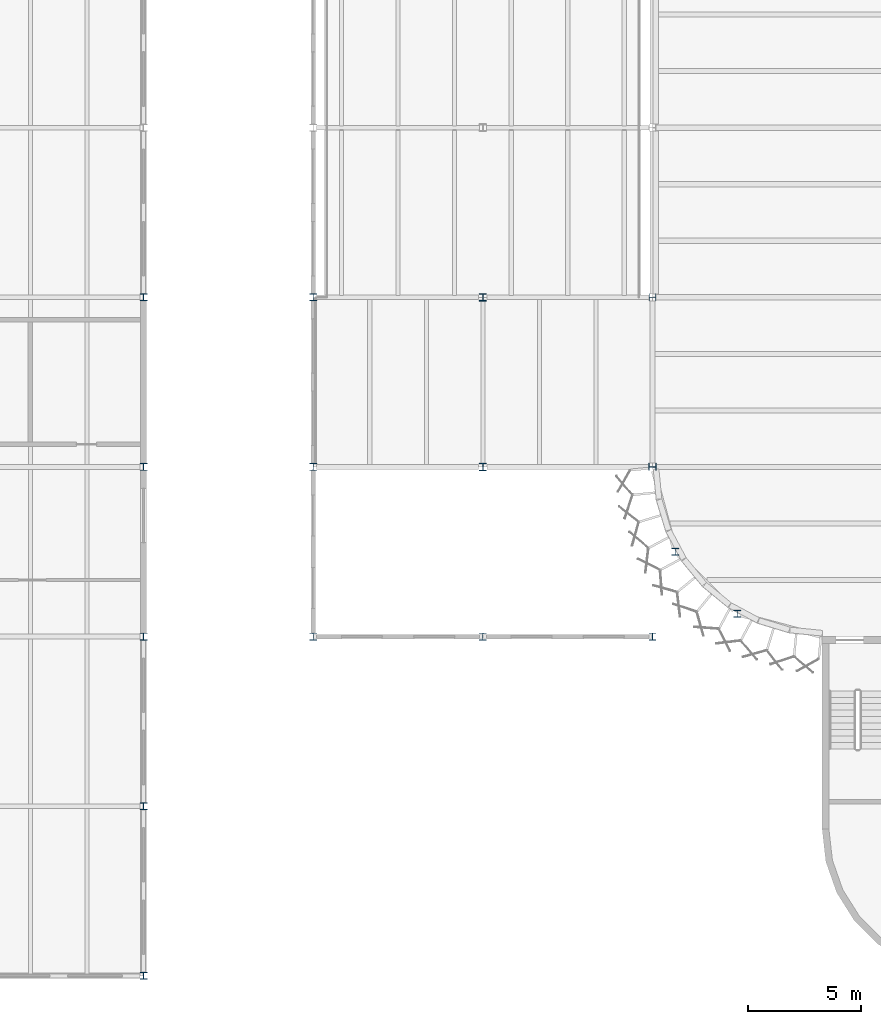
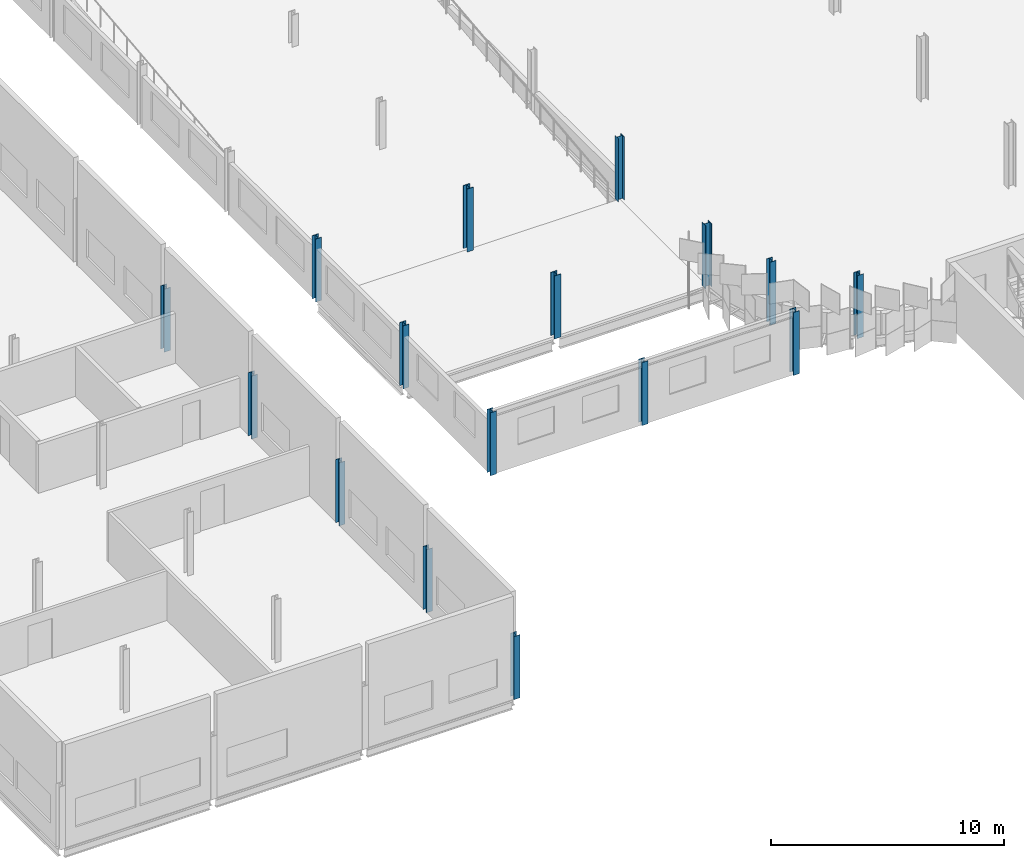
# One storey, part 15 of 198: 16 columns.
"""IFC4 building model written with IfcOpenShell, lengths in metres."""

from ifc_helpers import new_model, si_unit, direction, frame, origin, origin_2d, place, context, subcontext, project, spatial, i_section, extrude, material, material_profile, profile_set, type_object, element, save


model = new_model("IFC4")

# Units and contexts
model_context = context("Model", 3, precision=1e-05, world=origin(), true_north=direction((0.0, 1.0)))
body_context = subcontext(model_context, "Body", "Model", "MODEL_VIEW")
ifc_project = project(units=[si_unit("LENGTHUNIT", "METRE"), si_unit("AREAUNIT", "SQUARE_METRE"), si_unit("VOLUMEUNIT", "CUBIC_METRE"), si_unit("PLANEANGLEUNIT", "RADIAN"), si_unit("MASSUNIT", "GRAM", prefix="KILO")], contexts=[model_context])

# Site, building, storey
site_placement = place(None, origin())
site = spatial("IfcSite", under=ifc_project, at=site_placement, CompositionType="ELEMENT")
building_placement = place(site_placement, origin())
building = spatial("IfcBuilding", under=site, at=building_placement, Name="Parallax Yard Mobility Hub", CompositionType="ELEMENT")
storey_placement = place(building_placement, frame((0.0, 0.0, 6.60009765625)))
storey = spatial("IfcBuildingStorey", under=building, at=storey_placement, Name="L02", CompositionType="ELEMENT", Elevation=6.60009765625)

# Columns
ifc_material = material(Name="Steel ASTM A992", Category="steel")
ifc_material_profile_1 = material_profile(ifc_material, i_section(OverallWidth=0.306884765625, OverallDepth=0.318115234375, WebThickness=0.01318359375, FlangeThickness=0.0205078125, FilletRadius=0.01513671875, at=origin_2d()), Name="W310x129")
ifc_profile_set_1 = profile_set([ifc_material_profile_1], Name="Steel ASTM A992")
column_type_1 = type_object("IfcColumnType", Name="W310x129 column", PredefinedType="COLUMN", material=ifc_profile_set_1)
column_placement = place(storey_placement, frame((195.0, 30.0, 0.0), z_axis=(0.0, 0.0, 1.0), x_axis=(0.0, 1.0, 0.0)))
element("IfcColumn", 1, at=column_placement, inside=storey, type_object=column_type_1, Name="Column C3 level L02 at E/27 of ramped parking decks", PredefinedType="COLUMN", context=body_context, shape_type="SweptSolid", body=[
    extrude(i_section(OverallWidth=0.306884765625, OverallDepth=0.318115234375, WebThickness=0.01318359375, FlangeThickness=0.0205078125, FilletRadius=0.01513671875, at=origin_2d()), origin(), (0.0, 0.0, 1.0), 3.2998046875),
])
ifc_material_profile_2 = material_profile(ifc_material, i_section(OverallWidth=0.31005859375, OverallDepth=0.327880859375, WebThickness=0.015380859375, FlangeThickness=0.025146484375, FilletRadius=0.015380859375, at=origin_2d()), Name="W310x158")
ifc_profile_set_2 = profile_set([ifc_material_profile_2], Name="Steel ASTM A992")
column_type_2 = type_object("IfcColumnType", Name="W310x158 column", PredefinedType="COLUMN", material=ifc_profile_set_2)
for number, where, z_axis, x_axis, name in (
    (2, (187.5, 30.0, 0.0), (0.0, 0.0, 1.0), (1.0, 0.0, 0.0), "Column C6 level L02 at E/26 of ramp house"),
    (3, (187.5, 37.5, 0.0), (0.0, 0.0, 1.0), (1.0, 0.0, 0.0), "Column C6 level L02 at F/26 of ramp house"),
):
    element("IfcColumn", number, at=place(storey_placement, frame(where, z_axis=z_axis, x_axis=x_axis)), inside=storey, type_object=column_type_2, Name=name, PredefinedType="COLUMN", context=body_context, shape_type="SweptSolid", body=[
        extrude(i_section(OverallWidth=0.31005859375, OverallDepth=0.327880859375, WebThickness=0.015380859375, FlangeThickness=0.025146484375, FilletRadius=0.015380859375, at=origin_2d()), origin(), (0.0, 0.0, 1.0), 3.2998046875),
    ])
ifc_material_profile_3 = material_profile(ifc_material, i_section(OverallWidth=0.304931640625, OverallDepth=0.306884765625, WebThickness=0.010009765625, FlangeThickness=0.015380859375, FilletRadius=0.01513671875, at=origin_2d()), Name="W310x97")
ifc_profile_set_3 = profile_set([ifc_material_profile_3], Name="Steel ASTM A992")
column_type_3 = type_object("IfcColumnType", Name="W310x97 column", PredefinedType="COLUMN", material=ifc_profile_set_3)
for number, where, z_axis, x_axis, name in (
    (4, (180.0, 22.5, 0.0), (0.0, 0.0, 1.0), (1.0, 0.0, 0.0), "Column C1 level L02 at D/25 of ramp house"),
    (5, (180.0, 30.0, 0.0), (0.0, 0.0, 1.0), (1.0, 0.0, 0.0), "Column C1 level L02 at E/25 of ramp house"),
    (6, (180.0, 37.5, 0.0), (0.0, 0.0, 1.0), (1.0, 0.0, 0.0), "Column C1 level L02 at F/25 of ramp house"),
    (7, (187.5, 22.5, 0.0), (0.0, 0.0, 1.0), (1.0, 0.0, 0.0), "Column C1 level L02 at D/26 of ramp house"),
    (8, (195.0, 22.5, 0.0), (0.0, 0.0, 1.0), (1.0, 0.0, 0.0), "Column C1 level L02 at D/27 of ramp house"),
    (9, (195.0, 37.5, 0.0), (0.0, 0.0, 1.0), (0.0, 1.0, 0.0), "Column C1 level L02 at F/27 of ramped parking decks"),
    (10, (196.0048828125, 26.25, 0.0), (0.0, 0.0, 1.0), (1.0, 0.0, 0.0), "Column C1 level L02 at S-W1 of ramped parking decks"),
    (11, (198.75, 23.5048828125, 0.0), (0.0, 0.0, 1.0), (1.0, 0.0, 0.0), "Column C1 level L02 at S-W2 of ramped parking decks"),
    (12, (172.5, 7.5, 0.0), (0.0, 0.0, 1.0), (1.0, 0.0, 0.0), "Column C1 level L02 at B/24 of bicycle and shared-mobility hall"),
    (13, (172.5, 15.0, 0.0), (0.0, 0.0, 1.0), (1.0, 0.0, 0.0), "Column C1 level L02 at C/24 of bicycle and shared-mobility hall"),
    (14, (172.5, 22.5, 0.0), (0.0, 0.0, 1.0), (1.0, 0.0, 0.0), "Column C1 level L02 at D/24 of bicycle and shared-mobility hall"),
    (15, (172.5, 30.0, 0.0), (0.0, 0.0, 1.0), (1.0, 0.0, 0.0), "Column C1 level L02 at E/24 of bicycle and shared-mobility hall"),
    (16, (172.5, 37.5, 0.0), (0.0, 0.0, 1.0), (1.0, 0.0, 0.0), "Column C1 level L02 at F/24 of bicycle and shared-mobility hall"),
):
    element("IfcColumn", number, at=place(storey_placement, frame(where, z_axis=z_axis, x_axis=x_axis)), inside=storey, type_object=column_type_3, Name=name, PredefinedType="COLUMN", context=body_context, shape_type="SweptSolid", body=[
        extrude(i_section(OverallWidth=0.304931640625, OverallDepth=0.306884765625, WebThickness=0.010009765625, FlangeThickness=0.015380859375, FilletRadius=0.01513671875, at=origin_2d()), origin(), (0.0, 0.0, 1.0), 3.2998046875),
    ])

save(model, "model.ifc")
